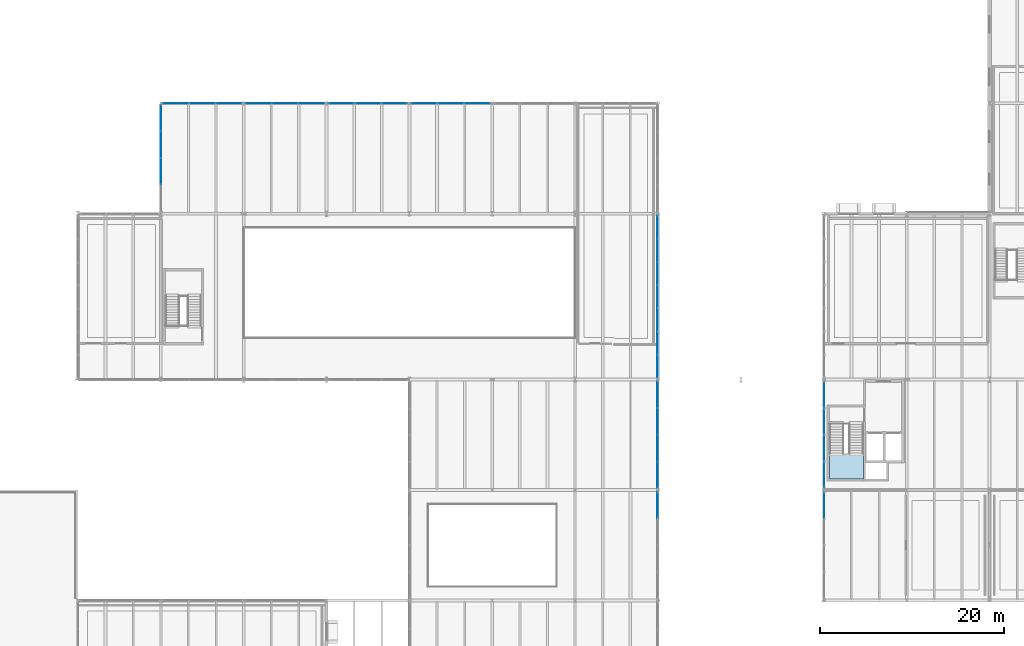
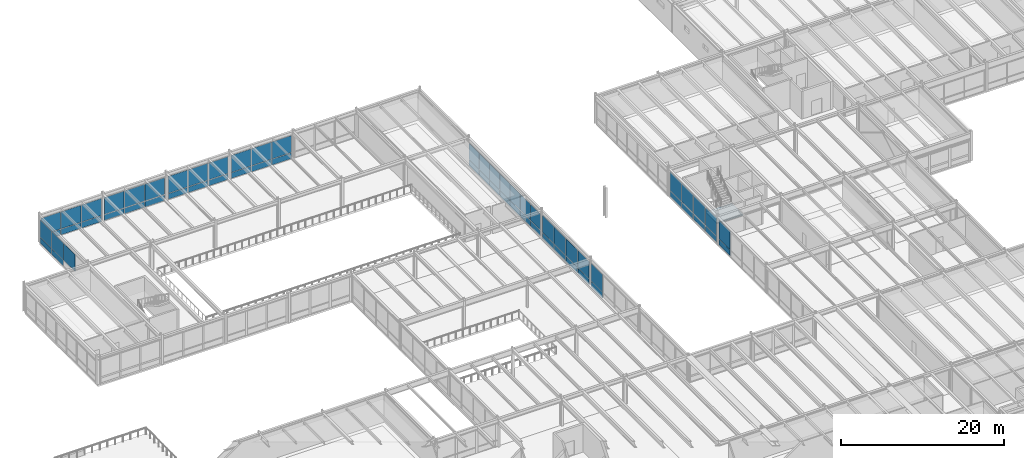
# One storey, part 99 of 127: 63 plates, 1 slab, 11 elements without a shape of their own.
"""IFC4 building model written with IfcOpenShell, lengths in metres."""

from ifc_helpers import new_model, si_unit, direction, frame, origin, origin_2d, place, context, subcontext, project, spatial, polyline, rectangle, outline, extrude, material, layer, layer_set, type_object, element, aggregate, save


model = new_model("IFC4")

# Units and contexts
model_context = context("Model", 3, precision=1e-05, world=origin(), true_north=direction((0.0, 1.0)))
body_context = subcontext(model_context, "Body", "Model", "MODEL_VIEW")
ifc_project = project(units=[si_unit("LENGTHUNIT", "METRE"), si_unit("AREAUNIT", "SQUARE_METRE"), si_unit("VOLUMEUNIT", "CUBIC_METRE"), si_unit("PLANEANGLEUNIT", "RADIAN"), si_unit("MASSUNIT", "GRAM", prefix="KILO")], contexts=[model_context])

# Site, building, storey
site_placement = place(None, origin())
site = spatial("IfcSite", under=ifc_project, at=site_placement, CompositionType="ELEMENT")
building_placement = place(site_placement, origin())
building = spatial("IfcBuilding", under=site, at=building_placement, Name="Montelvaro Courts of Justice", CompositionType="ELEMENT")
storey_placement = place(building_placement, frame((0.0, 0.0, 5.39990234375)))
storey = spatial("IfcBuildingStorey", under=building, at=storey_placement, Name="L01", CompositionType="ELEMENT", Elevation=5.39990234375)

# Curtain wall, plates
ifc_material_1 = material(Name="Anodised aluminium EN AW-6063", Category="aluminium")
ifc_layer_1 = layer(ifc_material_1, 0.159912109375)
ifc_layer_set_1 = layer_set([ifc_layer_1], Name="Anodised aluminium EN AW-6063")
curtain_wall_type_1 = type_object("IfcCurtainWallType", Name="CurtainWall_15_1765x418", PredefinedType="USERDEFINED", material=ifc_layer_set_1)
curtain_wall_1_placement = place(storey_placement, origin())
curtain_wall_1 = element("IfcCurtainWall", 1, at=curtain_wall_1_placement, inside=storey, type_object=curtain_wall_type_1, Name="Curtain Wall CW-15 (L01)", ObjectType="CURTAIN WALL", PredefinedType="USERDEFINED")
ifc_material_2 = material(Name="Acoustic laminated triple glazing", Category="glass")
ifc_layer_2 = layer(ifc_material_2, 0.035888671875)
ifc_layer_set_2 = layer_set([ifc_layer_2], Name="Acoustic laminated triple glazing")
plate_type_1 = type_object("IfcPlateType", Name="CurtainWall_Acoustic_Panel_36", PredefinedType="CURTAIN_PANEL", material=ifc_layer_set_2)
plate_1_placement = place(storey_placement, frame((80.949951171875, 79.452392578125, 0.0751953125), z_axis=(0.0, 0.0, 1.0), x_axis=(0.0, 1.0, 0.0)))
plate_1 = element("IfcPlate", 2, at=plate_1_placement, type_object=plate_type_1, Name="CW-15 panel 1.1", PredefinedType="CURTAIN_PANEL", context=body_context, shape_type="SweptSolid", body=[
    extrude(rectangle(XDim=2.430908203125, YDim=0.035888671875, at=origin_2d()), origin(), (0.0, 0.0, 1.0), 0.83740234375),
])
plate_2_placement = place(storey_placement, frame((80.949951171875, 79.452392578125, 0.987548828125), z_axis=(0.0, 0.0, 1.0), x_axis=(0.0, 1.0, 0.0)))
plate_2 = element("IfcPlate", 3, at=plate_2_placement, type_object=plate_type_1, Name="CW-15 panel 1.2", PredefinedType="CURTAIN_PANEL", context=body_context, shape_type="SweptSolid", body=[
    extrude(rectangle(XDim=2.430908203125, YDim=0.035888671875, at=origin_2d()), origin(), (0.0, 0.0, 1.0), 2.41259765625),
])
plate_3_placement = place(storey_placement, frame((80.949951171875, 81.958251953125, 0.0751953125), z_axis=(0.0, 0.0, 1.0), x_axis=(0.0, 1.0, 0.0)))
plate_3 = element("IfcPlate", 4, at=plate_3_placement, type_object=plate_type_1, Name="CW-15 panel 2.1", PredefinedType="CURTAIN_PANEL", context=body_context, shape_type="SweptSolid", body=[
    extrude(rectangle(XDim=2.4609375, YDim=0.035888671875, at=origin_2d()), origin(), (0.0, 0.0, 1.0), 0.83740234375),
])
plate_4_placement = place(storey_placement, frame((80.949951171875, 81.958251953125, 0.987548828125), z_axis=(0.0, 0.0, 1.0), x_axis=(0.0, 1.0, 0.0)))
plate_4 = element("IfcPlate", 5, at=plate_4_placement, type_object=plate_type_1, Name="CW-15 panel 2.2", PredefinedType="CURTAIN_PANEL", context=body_context, shape_type="SweptSolid", body=[
    extrude(rectangle(XDim=2.4609375, YDim=0.035888671875, at=origin_2d()), origin(), (0.0, 0.0, 1.0), 2.41259765625),
])
plate_5_placement = place(storey_placement, frame((80.949951171875, 84.479248046875, 0.0751953125), z_axis=(0.0, 0.0, 1.0), x_axis=(0.0, 1.0, 0.0)))
plate_5 = element("IfcPlate", 6, at=plate_5_placement, type_object=plate_type_1, Name="CW-15 panel 3.1", PredefinedType="CURTAIN_PANEL", context=body_context, shape_type="SweptSolid", body=[
    extrude(rectangle(XDim=2.4609375, YDim=0.035888671875, at=origin_2d()), origin(), (0.0, 0.0, 1.0), 0.83740234375),
])
plate_6_placement = place(storey_placement, frame((80.949951171875, 84.479248046875, 0.987548828125), z_axis=(0.0, 0.0, 1.0), x_axis=(0.0, 1.0, 0.0)))
plate_6 = element("IfcPlate", 7, at=plate_6_placement, type_object=plate_type_1, Name="CW-15 panel 3.2", PredefinedType="CURTAIN_PANEL", context=body_context, shape_type="SweptSolid", body=[
    extrude(rectangle(XDim=2.4609375, YDim=0.035888671875, at=origin_2d()), origin(), (0.0, 0.0, 1.0), 2.41259765625),
])
plate_7_placement = place(storey_placement, frame((80.949951171875, 87.0, 0.0751953125), z_axis=(0.0, 0.0, 1.0), x_axis=(0.0, 1.0, 0.0)))
plate_7 = element("IfcPlate", 8, at=plate_7_placement, type_object=plate_type_1, Name="CW-15 panel 4.1", PredefinedType="CURTAIN_PANEL", context=body_context, shape_type="SweptSolid", body=[
    extrude(rectangle(XDim=2.4609375, YDim=0.035888671875, at=origin_2d()), origin(), (0.0, 0.0, 1.0), 0.83740234375),
])
plate_8_placement = place(storey_placement, frame((80.949951171875, 87.0, 0.987548828125), z_axis=(0.0, 0.0, 1.0), x_axis=(0.0, 1.0, 0.0)))
plate_8 = element("IfcPlate", 9, at=plate_8_placement, type_object=plate_type_1, Name="CW-15 panel 4.2", PredefinedType="CURTAIN_PANEL", context=body_context, shape_type="SweptSolid", body=[
    extrude(rectangle(XDim=2.4609375, YDim=0.035888671875, at=origin_2d()), origin(), (0.0, 0.0, 1.0), 2.41259765625),
])
plate_9_placement = place(storey_placement, frame((80.949951171875, 89.520751953125, 0.0751953125), z_axis=(0.0, 0.0, 1.0), x_axis=(0.0, 1.0, 0.0)))
plate_9 = element("IfcPlate", 10, at=plate_9_placement, type_object=plate_type_1, Name="CW-15 panel 5.1", PredefinedType="CURTAIN_PANEL", context=body_context, shape_type="SweptSolid", body=[
    extrude(rectangle(XDim=2.4609375, YDim=0.035888671875, at=origin_2d()), origin(), (0.0, 0.0, 1.0), 0.83740234375),
])
plate_10_placement = place(storey_placement, frame((80.949951171875, 89.520751953125, 0.987548828125), z_axis=(0.0, 0.0, 1.0), x_axis=(0.0, 1.0, 0.0)))
plate_10 = element("IfcPlate", 11, at=plate_10_placement, type_object=plate_type_1, Name="CW-15 panel 5.2", PredefinedType="CURTAIN_PANEL", context=body_context, shape_type="SweptSolid", body=[
    extrude(rectangle(XDim=2.4609375, YDim=0.035888671875, at=origin_2d()), origin(), (0.0, 0.0, 1.0), 2.41259765625),
])
plate_11_placement = place(storey_placement, frame((80.949951171875, 92.041748046875, 0.0751953125), z_axis=(0.0, 0.0, 1.0), x_axis=(0.0, 1.0, 0.0)))
plate_11 = element("IfcPlate", 12, at=plate_11_placement, type_object=plate_type_1, Name="CW-15 panel 6.1", PredefinedType="CURTAIN_PANEL", context=body_context, shape_type="SweptSolid", body=[
    extrude(rectangle(XDim=2.4609375, YDim=0.035888671875, at=origin_2d()), origin(), (0.0, 0.0, 1.0), 0.83740234375),
])
plate_12_placement = place(storey_placement, frame((80.949951171875, 92.041748046875, 0.987548828125), z_axis=(0.0, 0.0, 1.0), x_axis=(0.0, 1.0, 0.0)))
plate_12 = element("IfcPlate", 13, at=plate_12_placement, type_object=plate_type_1, Name="CW-15 panel 6.2", PredefinedType="CURTAIN_PANEL", context=body_context, shape_type="SweptSolid", body=[
    extrude(rectangle(XDim=2.4609375, YDim=0.035888671875, at=origin_2d()), origin(), (0.0, 0.0, 1.0), 2.41259765625),
])
plate_13_placement = place(storey_placement, frame((80.949951171875, 94.547607421875, 0.0751953125), z_axis=(0.0, 0.0, 1.0), x_axis=(0.0, 1.0, 0.0)))
plate_13 = element("IfcPlate", 14, at=plate_13_placement, type_object=plate_type_1, Name="CW-15 panel 7.1", PredefinedType="CURTAIN_PANEL", context=body_context, shape_type="SweptSolid", body=[
    extrude(rectangle(XDim=2.430908203125, YDim=0.035888671875, at=origin_2d()), origin(), (0.0, 0.0, 1.0), 0.83740234375),
])
plate_14_placement = place(storey_placement, frame((80.949951171875, 94.547607421875, 0.987548828125), z_axis=(0.0, 0.0, 1.0), x_axis=(0.0, 1.0, 0.0)))
plate_14 = element("IfcPlate", 15, at=plate_14_placement, type_object=plate_type_1, Name="CW-15 panel 7.2", PredefinedType="CURTAIN_PANEL", context=body_context, shape_type="SweptSolid", body=[
    extrude(rectangle(XDim=2.430908203125, YDim=0.035888671875, at=origin_2d()), origin(), (0.0, 0.0, 1.0), 2.41259765625),
])
aggregate(curtain_wall_1, [plate_1, plate_2, plate_3, plate_4, plate_5, plate_6, plate_7, plate_8, plate_9, plate_10, plate_11, plate_12, plate_13, plate_14])

ifc_layer_3 = layer(ifc_material_1, 0.159912109375)
ifc_layer_set_3 = layer_set([ifc_layer_3], Name="Anodised aluminium EN AW-6063")
curtain_wall_type_2 = type_object("IfcCurtainWallType", Name="CurtainWall_18_868x418", PredefinedType="USERDEFINED", material=ifc_layer_set_3)
curtain_wall_2_placement = place(storey_placement, origin())
curtain_wall_2 = element("IfcCurtainWall", 16, at=curtain_wall_2_placement, inside=storey, type_object=curtain_wall_type_2, Name="Curtain Wall CW-18 (L01)", ObjectType="CURTAIN WALL", PredefinedType="USERDEFINED")
plate_15_placement = place(storey_placement, frame((61.376220703125, 108.0, 0.06005859375), z_axis=(0.0, 0.0, 1.0), x_axis=(-1.0, 0.0, 0.0)))
plate_15 = element("IfcPlate", 17, at=plate_15_placement, type_object=plate_type_1, Name="CW-18 panel 1.1", PredefinedType="CURTAIN_PANEL", context=body_context, shape_type="SweptSolid", body=[
    extrude(rectangle(XDim=2.78759765625, YDim=0.035888671875, at=origin_2d()), origin(), (0.0, 0.0, 1.0), 0.860107421875),
])
plate_16_placement = place(storey_placement, frame((61.376220703125, 108.0, 0.980224609375), z_axis=(0.0, 0.0, 1.0), x_axis=(-1.0, 0.0, 0.0)))
plate_16 = element("IfcPlate", 18, at=plate_16_placement, type_object=plate_type_1, Name="CW-18 panel 1.2", PredefinedType="CURTAIN_PANEL", context=body_context, shape_type="SweptSolid", body=[
    extrude(rectangle(XDim=2.78759765625, YDim=0.035888671875, at=origin_2d()), origin(), (0.0, 0.0, 1.0), 2.544921875),
])
plate_17_placement = place(storey_placement, frame((58.4951171875, 108.0, 0.06005859375), z_axis=(0.0, 0.0, 1.0), x_axis=(-1.0, 0.0, 0.0)))
plate_17 = element("IfcPlate", 19, at=plate_17_placement, type_object=plate_type_1, Name="CW-18 panel 2.1", PredefinedType="CURTAIN_PANEL", context=body_context, shape_type="SweptSolid", body=[
    extrude(rectangle(XDim=2.824951171875, YDim=0.035888671875, at=origin_2d()), origin(), (0.0, 0.0, 1.0), 0.860107421875),
])
plate_18_placement = place(storey_placement, frame((58.4951171875, 108.0, 0.980224609375), z_axis=(0.0, 0.0, 1.0), x_axis=(-1.0, 0.0, 0.0)))
plate_18 = element("IfcPlate", 20, at=plate_18_placement, type_object=plate_type_1, Name="CW-18 panel 2.2", PredefinedType="CURTAIN_PANEL", context=body_context, shape_type="SweptSolid", body=[
    extrude(rectangle(XDim=2.824951171875, YDim=0.035888671875, at=origin_2d()), origin(), (0.0, 0.0, 1.0), 2.544921875),
])
plate_19_placement = place(storey_placement, frame((55.61376953125, 108.0, 0.06005859375), z_axis=(0.0, 0.0, 1.0), x_axis=(-1.0, 0.0, 0.0)))
plate_19 = element("IfcPlate", 21, at=plate_19_placement, type_object=plate_type_1, Name="CW-18 panel 3.1", PredefinedType="CURTAIN_PANEL", context=body_context, shape_type="SweptSolid", body=[
    extrude(rectangle(XDim=2.78759765625, YDim=0.035888671875, at=origin_2d()), origin(), (0.0, 0.0, 1.0), 0.860107421875),
])
plate_20_placement = place(storey_placement, frame((55.61376953125, 108.0, 0.980224609375), z_axis=(0.0, 0.0, 1.0), x_axis=(-1.0, 0.0, 0.0)))
plate_20 = element("IfcPlate", 22, at=plate_20_placement, type_object=plate_type_1, Name="CW-18 panel 3.2", PredefinedType="CURTAIN_PANEL", context=body_context, shape_type="SweptSolid", body=[
    extrude(rectangle(XDim=2.78759765625, YDim=0.035888671875, at=origin_2d()), origin(), (0.0, 0.0, 1.0), 2.544921875),
])
aggregate(curtain_wall_2, [plate_15, plate_16, plate_17, plate_18, plate_19, plate_20])

curtain_wall_3_placement = place(storey_placement, origin())
curtain_wall_3 = element("IfcCurtainWall", 23, at=curtain_wall_3_placement, inside=storey, type_object=curtain_wall_type_2, Name="Curtain Wall CW-18 (L01)", ObjectType="CURTAIN WALL", PredefinedType="USERDEFINED")
plate_21_placement = place(storey_placement, frame((43.373291015625, 108.0, 0.0751953125), z_axis=(0.0, 0.0, 1.0), x_axis=(-1.0, 0.0, 0.0)))
plate_21 = element("IfcPlate", 24, at=plate_21_placement, type_object=plate_type_1, Name="CW-18 panel 1.1", PredefinedType="CURTAIN_PANEL", context=body_context, shape_type="SweptSolid", body=[
    extrude(rectangle(XDim=2.80322265625, YDim=0.035888671875, at=origin_2d()), origin(), (0.0, 0.0, 1.0), 0.83740234375),
])
plate_22_placement = place(storey_placement, frame((43.373291015625, 108.0, 0.987548828125), z_axis=(0.0, 0.0, 1.0), x_axis=(-1.0, 0.0, 0.0)))
plate_22 = element("IfcPlate", 25, at=plate_22_placement, type_object=plate_type_1, Name="CW-18 panel 1.2", PredefinedType="CURTAIN_PANEL", context=body_context, shape_type="SweptSolid", body=[
    extrude(rectangle(XDim=2.80322265625, YDim=0.035888671875, at=origin_2d()), origin(), (0.0, 0.0, 1.0), 2.5224609375),
])
plate_23_placement = place(storey_placement, frame((40.4951171875, 108.0, 0.0751953125), z_axis=(0.0, 0.0, 1.0), x_axis=(-1.0, 0.0, 0.0)))
plate_23 = element("IfcPlate", 26, at=plate_23_placement, type_object=plate_type_1, Name="CW-18 panel 2.1", PredefinedType="CURTAIN_PANEL", context=body_context, shape_type="SweptSolid", body=[
    extrude(rectangle(XDim=2.833251953125, YDim=0.035888671875, at=origin_2d()), origin(), (0.0, 0.0, 1.0), 0.83740234375),
])
plate_24_placement = place(storey_placement, frame((40.4951171875, 108.0, 0.987548828125), z_axis=(0.0, 0.0, 1.0), x_axis=(-1.0, 0.0, 0.0)))
plate_24 = element("IfcPlate", 27, at=plate_24_placement, type_object=plate_type_1, Name="CW-18 panel 2.2", PredefinedType="CURTAIN_PANEL", context=body_context, shape_type="SweptSolid", body=[
    extrude(rectangle(XDim=2.833251953125, YDim=0.035888671875, at=origin_2d()), origin(), (0.0, 0.0, 1.0), 2.5224609375),
])
plate_25_placement = place(storey_placement, frame((37.61669921875, 108.0, 0.0751953125), z_axis=(0.0, 0.0, 1.0), x_axis=(-1.0, 0.0, 0.0)))
plate_25 = element("IfcPlate", 28, at=plate_25_placement, type_object=plate_type_1, Name="CW-18 panel 3.1", PredefinedType="CURTAIN_PANEL", context=body_context, shape_type="SweptSolid", body=[
    extrude(rectangle(XDim=2.80322265625, YDim=0.035888671875, at=origin_2d()), origin(), (0.0, 0.0, 1.0), 0.83740234375),
])
plate_26_placement = place(storey_placement, frame((37.61669921875, 108.0, 0.987548828125), z_axis=(0.0, 0.0, 1.0), x_axis=(-1.0, 0.0, 0.0)))
plate_26 = element("IfcPlate", 29, at=plate_26_placement, type_object=plate_type_1, Name="CW-18 panel 3.2", PredefinedType="CURTAIN_PANEL", context=body_context, shape_type="SweptSolid", body=[
    extrude(rectangle(XDim=2.80322265625, YDim=0.035888671875, at=origin_2d()), origin(), (0.0, 0.0, 1.0), 2.5224609375),
])
aggregate(curtain_wall_3, [plate_21, plate_22, plate_23, plate_24, plate_25, plate_26])

curtain_wall_4_placement = place(storey_placement, origin())
curtain_wall_4 = element("IfcCurtainWall", 30, at=curtain_wall_4_placement, inside=storey, type_object=curtain_wall_type_2, Name="Curtain Wall CW-18 (L01)", ObjectType="CURTAIN WALL", PredefinedType="USERDEFINED")
plate_27_placement = place(storey_placement, frame((34.3798828125, 108.0, 0.06005859375), z_axis=(0.0, 0.0, 1.0), x_axis=(-1.0, 0.0, 0.0)))
plate_27 = element("IfcPlate", 31, at=plate_27_placement, type_object=plate_type_1, Name="CW-18 panel 1.1", PredefinedType="CURTAIN_PANEL", context=body_context, shape_type="SweptSolid", body=[
    extrude(rectangle(XDim=2.81005859375, YDim=0.035888671875, at=origin_2d()), origin(), (0.0, 0.0, 1.0), 0.860107421875),
])
plate_28_placement = place(storey_placement, frame((34.3798828125, 108.0, 0.980224609375), z_axis=(0.0, 0.0, 1.0), x_axis=(-1.0, 0.0, 0.0)))
plate_28 = element("IfcPlate", 32, at=plate_28_placement, type_object=plate_type_1, Name="CW-18 panel 1.2", PredefinedType="CURTAIN_PANEL", context=body_context, shape_type="SweptSolid", body=[
    extrude(rectangle(XDim=2.81005859375, YDim=0.035888671875, at=origin_2d()), origin(), (0.0, 0.0, 1.0), 2.544921875),
])
plate_29_placement = place(storey_placement, frame((31.4951171875, 108.0, 0.06005859375), z_axis=(0.0, 0.0, 1.0), x_axis=(-1.0, 0.0, 0.0)))
plate_29 = element("IfcPlate", 33, at=plate_29_placement, type_object=plate_type_1, Name="CW-18 panel 2.1", PredefinedType="CURTAIN_PANEL", context=body_context, shape_type="SweptSolid", body=[
    extrude(rectangle(XDim=2.840087890625, YDim=0.035888671875, at=origin_2d()), origin(), (0.0, 0.0, 1.0), 0.860107421875),
])
plate_30_placement = place(storey_placement, frame((31.4951171875, 108.0, 0.980224609375), z_axis=(0.0, 0.0, 1.0), x_axis=(-1.0, 0.0, 0.0)))
plate_30 = element("IfcPlate", 34, at=plate_30_placement, type_object=plate_type_1, Name="CW-18 panel 2.2", PredefinedType="CURTAIN_PANEL", context=body_context, shape_type="SweptSolid", body=[
    extrude(rectangle(XDim=2.840087890625, YDim=0.035888671875, at=origin_2d()), origin(), (0.0, 0.0, 1.0), 2.544921875),
])
plate_31_placement = place(storey_placement, frame((28.610107421875, 108.0, 0.06005859375), z_axis=(0.0, 0.0, 1.0), x_axis=(-1.0, 0.0, 0.0)))
plate_31 = element("IfcPlate", 35, at=plate_31_placement, type_object=plate_type_1, Name="CW-18 panel 3.1", PredefinedType="CURTAIN_PANEL", context=body_context, shape_type="SweptSolid", body=[
    extrude(rectangle(XDim=2.81005859375, YDim=0.035888671875, at=origin_2d()), origin(), (0.0, 0.0, 1.0), 0.860107421875),
])
plate_32_placement = place(storey_placement, frame((28.610107421875, 108.0, 0.980224609375), z_axis=(0.0, 0.0, 1.0), x_axis=(-1.0, 0.0, 0.0)))
plate_32 = element("IfcPlate", 36, at=plate_32_placement, type_object=plate_type_1, Name="CW-18 panel 3.2", PredefinedType="CURTAIN_PANEL", context=body_context, shape_type="SweptSolid", body=[
    extrude(rectangle(XDim=2.81005859375, YDim=0.035888671875, at=origin_2d()), origin(), (0.0, 0.0, 1.0), 2.544921875),
])
aggregate(curtain_wall_4, [plate_27, plate_28, plate_29, plate_30, plate_31, plate_32])

ifc_layer_4 = layer(ifc_material_1, 0.159912109375)
ifc_layer_set_4 = layer_set([ifc_layer_4], Name="Anodised aluminium EN AW-6063")
curtain_wall_type_3 = type_object("IfcCurtainWallType", Name="CurtainWall_19_1159x418", PredefinedType="USERDEFINED", material=ifc_layer_set_4)
curtain_wall_5_placement = place(storey_placement, origin())
curtain_wall_5 = element("IfcCurtainWall", 37, at=curtain_wall_5_placement, inside=storey, type_object=curtain_wall_type_3, Name="Curtain Wall CW-19 (L01)", ObjectType="CURTAIN WALL", PredefinedType="USERDEFINED")
plate_33_placement = place(storey_placement, frame((99.050048828125, 76.336669921875, 0.0751953125), z_axis=(0.0, 0.0, 1.0), x_axis=(0.0, -1.0, 0.0)))
plate_33 = element("IfcPlate", 38, at=plate_33_placement, type_object=plate_type_1, Name="CW-19 panel 1.1", PredefinedType="CURTAIN_PANEL", context=body_context, shape_type="SweptSolid", body=[
    extrude(rectangle(XDim=2.791015625, YDim=0.035888671875, at=origin_2d()), origin(), (0.0, 0.0, 1.0), 0.83740234375),
])
plate_34_placement = place(storey_placement, frame((99.050048828125, 76.336669921875, 0.98779296875), z_axis=(0.0, 0.0, 1.0), x_axis=(0.0, -1.0, 0.0)))
plate_34 = element("IfcPlate", 39, at=plate_34_placement, type_object=plate_type_1, Name="CW-19 panel 1.2", PredefinedType="CURTAIN_PANEL", context=body_context, shape_type="SweptSolid", body=[
    extrude(rectangle(XDim=2.791015625, YDim=0.035888671875, at=origin_2d()), origin(), (0.0, 0.0, 1.0), 2.742431640625),
])
plate_35_placement = place(storey_placement, frame((99.050048828125, 73.451904296875, 0.0751953125), z_axis=(0.0, 0.0, 1.0), x_axis=(0.0, -1.0, 0.0)))
plate_35 = element("IfcPlate", 40, at=plate_35_placement, type_object=plate_type_1, Name="CW-19 panel 2.1", PredefinedType="CURTAIN_PANEL", context=body_context, shape_type="SweptSolid", body=[
    extrude(rectangle(XDim=2.82861328125, YDim=0.035888671875, at=origin_2d()), origin(), (0.0, 0.0, 1.0), 0.83740234375),
])
plate_36_placement = place(storey_placement, frame((99.050048828125, 73.451904296875, 0.98779296875), z_axis=(0.0, 0.0, 1.0), x_axis=(0.0, -1.0, 0.0)))
plate_36 = element("IfcPlate", 41, at=plate_36_placement, type_object=plate_type_1, Name="CW-19 panel 2.2", PredefinedType="CURTAIN_PANEL", context=body_context, shape_type="SweptSolid", body=[
    extrude(rectangle(XDim=2.82861328125, YDim=0.035888671875, at=origin_2d()), origin(), (0.0, 0.0, 1.0), 2.742431640625),
])
plate_37_placement = place(storey_placement, frame((99.050048828125, 70.548095703125, 0.0751953125), z_axis=(0.0, 0.0, 1.0), x_axis=(0.0, -1.0, 0.0)))
plate_37 = element("IfcPlate", 42, at=plate_37_placement, type_object=plate_type_1, Name="CW-19 panel 3.1", PredefinedType="CURTAIN_PANEL", context=body_context, shape_type="SweptSolid", body=[
    extrude(rectangle(XDim=2.82861328125, YDim=0.035888671875, at=origin_2d()), origin(), (0.0, 0.0, 1.0), 0.83740234375),
])
plate_38_placement = place(storey_placement, frame((99.050048828125, 70.548095703125, 0.98779296875), z_axis=(0.0, 0.0, 1.0), x_axis=(0.0, -1.0, 0.0)))
plate_38 = element("IfcPlate", 43, at=plate_38_placement, type_object=plate_type_1, Name="CW-19 panel 3.2", PredefinedType="CURTAIN_PANEL", context=body_context, shape_type="SweptSolid", body=[
    extrude(rectangle(XDim=2.82861328125, YDim=0.035888671875, at=origin_2d()), origin(), (0.0, 0.0, 1.0), 2.742431640625),
])
plate_39_placement = place(storey_placement, frame((99.050048828125, 67.663330078125, 0.0751953125), z_axis=(0.0, 0.0, 1.0), x_axis=(0.0, -1.0, 0.0)))
plate_39 = element("IfcPlate", 44, at=plate_39_placement, type_object=plate_type_1, Name="CW-19 panel 4.1", PredefinedType="CURTAIN_PANEL", context=body_context, shape_type="SweptSolid", body=[
    extrude(rectangle(XDim=2.791015625, YDim=0.035888671875, at=origin_2d()), origin(), (0.0, 0.0, 1.0), 0.83740234375),
])
plate_40_placement = place(storey_placement, frame((99.050048828125, 67.663330078125, 0.98779296875), z_axis=(0.0, 0.0, 1.0), x_axis=(0.0, -1.0, 0.0)))
plate_40 = element("IfcPlate", 45, at=plate_40_placement, type_object=plate_type_1, Name="CW-19 panel 4.2", PredefinedType="CURTAIN_PANEL", context=body_context, shape_type="SweptSolid", body=[
    extrude(rectangle(XDim=2.791015625, YDim=0.035888671875, at=origin_2d()), origin(), (0.0, 0.0, 1.0), 2.742431640625),
])
aggregate(curtain_wall_5, [plate_33, plate_34, plate_35, plate_36, plate_37, plate_38, plate_39, plate_40])

ifc_layer_5 = layer(ifc_material_1, 0.159912109375)
ifc_layer_set_5 = layer_set([ifc_layer_5], Name="Anodised aluminium EN AW-6063")
curtain_wall_type_4 = type_object("IfcCurtainWallType", Name="CurtainWall_16_1165x418", PredefinedType="USERDEFINED", material=ifc_layer_set_5)
curtain_wall_6_placement = place(storey_placement, origin())
curtain_wall_6 = element("IfcCurtainWall", 46, at=curtain_wall_6_placement, inside=storey, type_object=curtain_wall_type_4, Name="Curtain Wall CW-16 (L01)", ObjectType="CURTAIN WALL", PredefinedType="USERDEFINED")
plate_41_placement = place(storey_placement, frame((80.949951171875, 67.647705078125, 0.06005859375), z_axis=(0.0, 0.0, 1.0), x_axis=(0.0, 1.0, 0.0)))
plate_41 = element("IfcPlate", 47, at=plate_41_placement, type_object=plate_type_1, Name="CW-16 panel 1.1", PredefinedType="CURTAIN_PANEL", context=body_context, shape_type="SweptSolid", body=[
    extrude(rectangle(XDim=2.821533203125, YDim=0.035888671875, at=origin_2d()), origin(), (0.0, 0.0, 1.0), 0.860107421875),
])
plate_42_placement = place(storey_placement, frame((80.949951171875, 67.647705078125, 0.97998046875), z_axis=(0.0, 0.0, 1.0), x_axis=(0.0, 1.0, 0.0)))
plate_42 = element("IfcPlate", 48, at=plate_42_placement, type_object=plate_type_1, Name="CW-16 panel 1.2", PredefinedType="CURTAIN_PANEL", context=body_context, shape_type="SweptSolid", body=[
    extrude(rectangle(XDim=2.821533203125, YDim=0.035888671875, at=origin_2d()), origin(), (0.0, 0.0, 1.0), 2.574951171875),
])
plate_43_placement = place(storey_placement, frame((80.949951171875, 70.544189453125, 0.06005859375), z_axis=(0.0, 0.0, 1.0), x_axis=(0.0, 1.0, 0.0)))
plate_43 = element("IfcPlate", 49, at=plate_43_placement, type_object=plate_type_1, Name="CW-16 panel 2.1", PredefinedType="CURTAIN_PANEL", context=body_context, shape_type="SweptSolid", body=[
    extrude(rectangle(XDim=2.8515625, YDim=0.035888671875, at=origin_2d()), origin(), (0.0, 0.0, 1.0), 0.860107421875),
])
plate_44_placement = place(storey_placement, frame((80.949951171875, 70.544189453125, 0.97998046875), z_axis=(0.0, 0.0, 1.0), x_axis=(0.0, 1.0, 0.0)))
plate_44 = element("IfcPlate", 50, at=plate_44_placement, type_object=plate_type_1, Name="CW-16 panel 2.2", PredefinedType="CURTAIN_PANEL", context=body_context, shape_type="SweptSolid", body=[
    extrude(rectangle(XDim=2.8515625, YDim=0.035888671875, at=origin_2d()), origin(), (0.0, 0.0, 1.0), 2.574951171875),
])
plate_45_placement = place(storey_placement, frame((80.949951171875, 73.455810546875, 0.06005859375), z_axis=(0.0, 0.0, 1.0), x_axis=(0.0, 1.0, 0.0)))
plate_45 = element("IfcPlate", 51, at=plate_45_placement, type_object=plate_type_1, Name="CW-16 panel 3.1", PredefinedType="CURTAIN_PANEL", context=body_context, shape_type="SweptSolid", body=[
    extrude(rectangle(XDim=2.8515625, YDim=0.035888671875, at=origin_2d()), origin(), (0.0, 0.0, 1.0), 0.860107421875),
])
plate_46_placement = place(storey_placement, frame((80.949951171875, 73.455810546875, 0.97998046875), z_axis=(0.0, 0.0, 1.0), x_axis=(0.0, 1.0, 0.0)))
plate_46 = element("IfcPlate", 52, at=plate_46_placement, type_object=plate_type_1, Name="CW-16 panel 3.2", PredefinedType="CURTAIN_PANEL", context=body_context, shape_type="SweptSolid", body=[
    extrude(rectangle(XDim=2.8515625, YDim=0.035888671875, at=origin_2d()), origin(), (0.0, 0.0, 1.0), 2.574951171875),
])
plate_47_placement = place(storey_placement, frame((80.949951171875, 76.352294921875, 0.06005859375), z_axis=(0.0, 0.0, 1.0), x_axis=(0.0, 1.0, 0.0)))
plate_47 = element("IfcPlate", 53, at=plate_47_placement, type_object=plate_type_1, Name="CW-16 panel 4.1", PredefinedType="CURTAIN_PANEL", context=body_context, shape_type="SweptSolid", body=[
    extrude(rectangle(XDim=2.821533203125, YDim=0.035888671875, at=origin_2d()), origin(), (0.0, 0.0, 1.0), 0.860107421875),
])
plate_48_placement = place(storey_placement, frame((80.949951171875, 76.352294921875, 0.97998046875), z_axis=(0.0, 0.0, 1.0), x_axis=(0.0, 1.0, 0.0)))
plate_48 = element("IfcPlate", 54, at=plate_48_placement, type_object=plate_type_1, Name="CW-16 panel 4.2", PredefinedType="CURTAIN_PANEL", context=body_context, shape_type="SweptSolid", body=[
    extrude(rectangle(XDim=2.821533203125, YDim=0.035888671875, at=origin_2d()), origin(), (0.0, 0.0, 1.0), 2.574951171875),
])
aggregate(curtain_wall_6, [plate_41, plate_42, plate_43, plate_44, plate_45, plate_46, plate_47, plate_48])

curtain_wall_7_placement = place(storey_placement, origin())
curtain_wall_7 = element("IfcCurtainWall", 55, at=curtain_wall_7_placement, inside=storey, type_object=curtain_wall_type_4, Name="Curtain Wall CW-16 (L01)", ObjectType="CURTAIN WALL", PredefinedType="USERDEFINED")
plate_49_placement = place(storey_placement, frame((99.050048828125, 64.337158203125, 0.06005859375), z_axis=(0.0, 0.0, 1.0), x_axis=(0.0, -1.0, 0.0)))
plate_49 = element("IfcPlate", 56, at=plate_49_placement, type_object=plate_type_1, Name="CW-16 panel 1.1", PredefinedType="CURTAIN_PANEL", context=body_context, shape_type="SweptSolid", body=[
    extrude(rectangle(XDim=2.81005859375, YDim=0.035888671875, at=origin_2d()), origin(), (0.0, 0.0, 1.0), 0.860107421875),
])
plate_50_placement = place(storey_placement, frame((99.050048828125, 64.337158203125, 0.97998046875), z_axis=(0.0, 0.0, 1.0), x_axis=(0.0, -1.0, 0.0)))
plate_50 = element("IfcPlate", 57, at=plate_50_placement, type_object=plate_type_1, Name="CW-16 panel 1.2", PredefinedType="CURTAIN_PANEL", context=body_context, shape_type="SweptSolid", body=[
    extrude(rectangle(XDim=2.81005859375, YDim=0.035888671875, at=origin_2d()), origin(), (0.0, 0.0, 1.0), 2.784912109375),
])
aggregate(curtain_wall_7, [plate_49, plate_50])

curtain_wall_8_placement = place(storey_placement, origin())
curtain_wall_8 = element("IfcCurtainWall", 58, at=curtain_wall_8_placement, inside=storey, type_object=curtain_wall_type_2, Name="Curtain Wall CW-18 (L01)", ObjectType="CURTAIN WALL", PredefinedType="USERDEFINED")
ifc_material_3 = material(Name="Insulated spandrel glazing", Category="glass")
ifc_layer_6 = layer(ifc_material_3, 0.048095703125)
ifc_layer_set_6 = layer_set([ifc_layer_6], Name="Insulated spandrel glazing")
plate_type_2 = type_object("IfcPlateType", Name="CurtainWall_Spandrel_Panel_48", PredefinedType="CURTAIN_PANEL", material=ifc_layer_set_6)
plate_51_placement = place(storey_placement, frame((52.387939453125, 108.0, 0.0751953125), z_axis=(0.0, 0.0, 1.0), x_axis=(-1.0, 0.0, 0.0)))
plate_51 = element("IfcPlate", 59, at=plate_51_placement, type_object=plate_type_2, Name="CW-18 panel 1.1", PredefinedType="CURTAIN_PANEL", context=body_context, shape_type="SweptSolid", body=[
    extrude(rectangle(XDim=2.7841796875, YDim=0.048095703125, at=origin_2d()), origin(), (0.0, 0.0, 1.0), 0.83740234375),
])
plate_52_placement = place(storey_placement, frame((52.387939453125, 108.0, 0.987548828125), z_axis=(0.0, 0.0, 1.0), x_axis=(-1.0, 0.0, 0.0)))
plate_52 = element("IfcPlate", 60, at=plate_52_placement, type_object=plate_type_2, Name="CW-18 panel 1.2", PredefinedType="CURTAIN_PANEL", context=body_context, shape_type="SweptSolid", body=[
    extrude(rectangle(XDim=2.7841796875, YDim=0.048095703125, at=origin_2d()), origin(), (0.0, 0.0, 1.0), 2.5224609375),
])
plate_53_placement = place(storey_placement, frame((49.510009765625, 108.0, 0.0751953125), z_axis=(0.0, 0.0, 1.0), x_axis=(-1.0, 0.0, 0.0)))
plate_53 = element("IfcPlate", 61, at=plate_53_placement, type_object=plate_type_2, Name="CW-18 panel 2.1", PredefinedType="CURTAIN_PANEL", context=body_context, shape_type="SweptSolid", body=[
    extrude(rectangle(XDim=2.82177734375, YDim=0.048095703125, at=origin_2d()), origin(), (0.0, 0.0, 1.0), 0.83740234375),
])
plate_54_placement = place(storey_placement, frame((49.510009765625, 108.0, 0.987548828125), z_axis=(0.0, 0.0, 1.0), x_axis=(-1.0, 0.0, 0.0)))
plate_54 = element("IfcPlate", 62, at=plate_54_placement, type_object=plate_type_2, Name="CW-18 panel 2.2", PredefinedType="CURTAIN_PANEL", context=body_context, shape_type="SweptSolid", body=[
    extrude(rectangle(XDim=2.82177734375, YDim=0.048095703125, at=origin_2d()), origin(), (0.0, 0.0, 1.0), 2.5224609375),
])
plate_55_placement = place(storey_placement, frame((46.632080078125, 108.0, 0.0751953125), z_axis=(0.0, 0.0, 1.0), x_axis=(-1.0, 0.0, 0.0)))
plate_55 = element("IfcPlate", 63, at=plate_55_placement, type_object=plate_type_2, Name="CW-18 panel 3.1", PredefinedType="CURTAIN_PANEL", context=body_context, shape_type="SweptSolid", body=[
    extrude(rectangle(XDim=2.7841796875, YDim=0.048095703125, at=origin_2d()), origin(), (0.0, 0.0, 1.0), 0.83740234375),
])
plate_56_placement = place(storey_placement, frame((46.632080078125, 108.0, 0.987548828125), z_axis=(0.0, 0.0, 1.0), x_axis=(-1.0, 0.0, 0.0)))
plate_56 = element("IfcPlate", 64, at=plate_56_placement, type_object=plate_type_2, Name="CW-18 panel 3.2", PredefinedType="CURTAIN_PANEL", context=body_context, shape_type="SweptSolid", body=[
    extrude(rectangle(XDim=2.7841796875, YDim=0.048095703125, at=origin_2d()), origin(), (0.0, 0.0, 1.0), 2.5224609375),
])
aggregate(curtain_wall_8, [plate_51, plate_52, plate_53, plate_54, plate_55, plate_56])

curtain_wall_9_placement = place(storey_placement, origin())
curtain_wall_9 = element("IfcCurtainWall", 65, at=curtain_wall_9_placement, inside=storey, type_object=curtain_wall_type_3, Name="Curtain Wall CW-19 (L01)", ObjectType="CURTAIN WALL", PredefinedType="USERDEFINED")
plate_57_placement = place(storey_placement, frame((27.0, 106.391357421875, 0.06005859375), z_axis=(0.0, 0.0, 1.0), x_axis=(0.0, -1.0, 0.0)))
plate_57 = element("IfcPlate", 66, at=plate_57_placement, type_object=plate_type_2, Name="CW-19 panel 1.1", PredefinedType="CURTAIN_PANEL", context=body_context, shape_type="SweptSolid", body=[
    extrude(rectangle(XDim=2.8076171875, YDim=0.048095703125, at=origin_2d()), origin(), (0.0, 0.0, 1.0), 0.860107421875),
])
plate_58_placement = place(storey_placement, frame((27.0, 106.391357421875, 0.97998046875), z_axis=(0.0, 0.0, 1.0), x_axis=(0.0, -1.0, 0.0)))
plate_58 = element("IfcPlate", 67, at=plate_58_placement, type_object=plate_type_2, Name="CW-19 panel 1.2", PredefinedType="CURTAIN_PANEL", context=body_context, shape_type="SweptSolid", body=[
    extrude(rectangle(XDim=2.8076171875, YDim=0.048095703125, at=origin_2d()), origin(), (0.0, 0.0, 1.0), 2.534912109375),
])
plate_59_placement = place(storey_placement, frame((27.0, 103.5087890625, 0.06005859375), z_axis=(0.0, 0.0, 1.0), x_axis=(0.0, -1.0, 0.0)))
plate_59 = element("IfcPlate", 68, at=plate_59_placement, type_object=plate_type_2, Name="CW-19 panel 2.1", PredefinedType="CURTAIN_PANEL", context=body_context, shape_type="SweptSolid", body=[
    extrude(rectangle(XDim=2.83740234375, YDim=0.048095703125, at=origin_2d()), origin(), (0.0, 0.0, 1.0), 0.860107421875),
])
plate_60_placement = place(storey_placement, frame((27.0, 103.5087890625, 0.97998046875), z_axis=(0.0, 0.0, 1.0), x_axis=(0.0, -1.0, 0.0)))
plate_60 = element("IfcPlate", 69, at=plate_60_placement, type_object=plate_type_2, Name="CW-19 panel 2.2", PredefinedType="CURTAIN_PANEL", context=body_context, shape_type="SweptSolid", body=[
    extrude(rectangle(XDim=2.83740234375, YDim=0.048095703125, at=origin_2d()), origin(), (0.0, 0.0, 1.0), 2.534912109375),
])
plate_61_placement = place(storey_placement, frame((27.0, 100.611328125, 0.97998046875), z_axis=(0.0, 0.0, 1.0), x_axis=(0.0, -1.0, 0.0)))
plate_61 = element("IfcPlate", 70, at=plate_61_placement, type_object=plate_type_2, Name="CW-19 panel 3.2", PredefinedType="CURTAIN_PANEL", context=body_context, shape_type="SweptSolid", body=[
    extrude(rectangle(XDim=2.83740234375, YDim=0.048095703125, at=origin_2d()), origin(), (0.0, 0.0, 1.0), 2.534912109375),
])
aggregate(curtain_wall_9, [plate_57, plate_58, plate_59, plate_60, plate_61])

curtain_wall_10_placement = place(storey_placement, origin())
curtain_wall_10 = element("IfcCurtainWall", 71, at=curtain_wall_10_placement, inside=storey, type_object=curtain_wall_type_4, Name="Curtain Wall CW-16 (L01)", ObjectType="CURTAIN WALL", PredefinedType="USERDEFINED")
plate_62_placement = place(storey_placement, frame((80.949951171875, 64.348388671875, 0.06005859375), z_axis=(0.0, 0.0, 1.0), x_axis=(0.0, 1.0, 0.0)))
plate_62 = element("IfcPlate", 72, at=plate_62_placement, type_object=plate_type_2, Name="CW-16 panel 4.1", PredefinedType="CURTAIN_PANEL", context=body_context, shape_type="SweptSolid", body=[
    extrude(rectangle(XDim=2.799072265625, YDim=0.048095703125, at=origin_2d()), origin(), (0.0, 0.0, 1.0), 0.860107421875),
])
plate_63_placement = place(storey_placement, frame((80.949951171875, 64.348388671875, 0.97998046875), z_axis=(0.0, 0.0, 1.0), x_axis=(0.0, 1.0, 0.0)))
plate_63 = element("IfcPlate", 73, at=plate_63_placement, type_object=plate_type_2, Name="CW-16 panel 4.2", PredefinedType="CURTAIN_PANEL", context=body_context, shape_type="SweptSolid", body=[
    extrude(rectangle(XDim=2.799072265625, YDim=0.048095703125, at=origin_2d()), origin(), (0.0, 0.0, 1.0), 2.574951171875),
])
aggregate(curtain_wall_10, [plate_62, plate_63])

# Stair, slab
ifc_material_4 = material(Name="Concrete C35/45", Category="concrete")
stair_type = type_object("IfcStairType", Name="ProtectedStair_155", PredefinedType="HALF_TURN_STAIR", material=ifc_material_4)
stair_placement = place(storey_placement, origin())
stair = element("IfcStair", 74, at=stair_placement, inside=storey, type_object=stair_type, Name="Protected Stair ST-K4-L01", PredefinedType="HALF_TURN_STAIR")
ifc_layer_7 = layer(ifc_material_4, 0.199951171875)
ifc_layer_set_7 = layer_set([ifc_layer_7], Name="Concrete C35/45")
slab_type = type_object("IfcSlabType", Name="StairLanding_200", PredefinedType="LANDING", material=ifc_layer_set_7)
slab_placement = place(storey_placement, frame((0.0, 0.0, 2.050048828125)))
slab = element("IfcSlab", 75, at=slab_placement, type_object=slab_type, Name="ST-K4-L01 landing 1", PredefinedType="LANDING", context=body_context, shape_type="SweptSolid", body=[
    extrude(outline(polyline([(99.60009765625, 67.199951171875), (103.300048828125, 67.199951171875), (103.300048828125, 69.93505859375), (99.60009765625, 69.93505859375), (99.60009765625, 67.199951171875)])), origin(), (0.0, 0.0, 1.0), 0.199951171875),
])
aggregate(stair, [slab])

save(model, "model.ifc")
